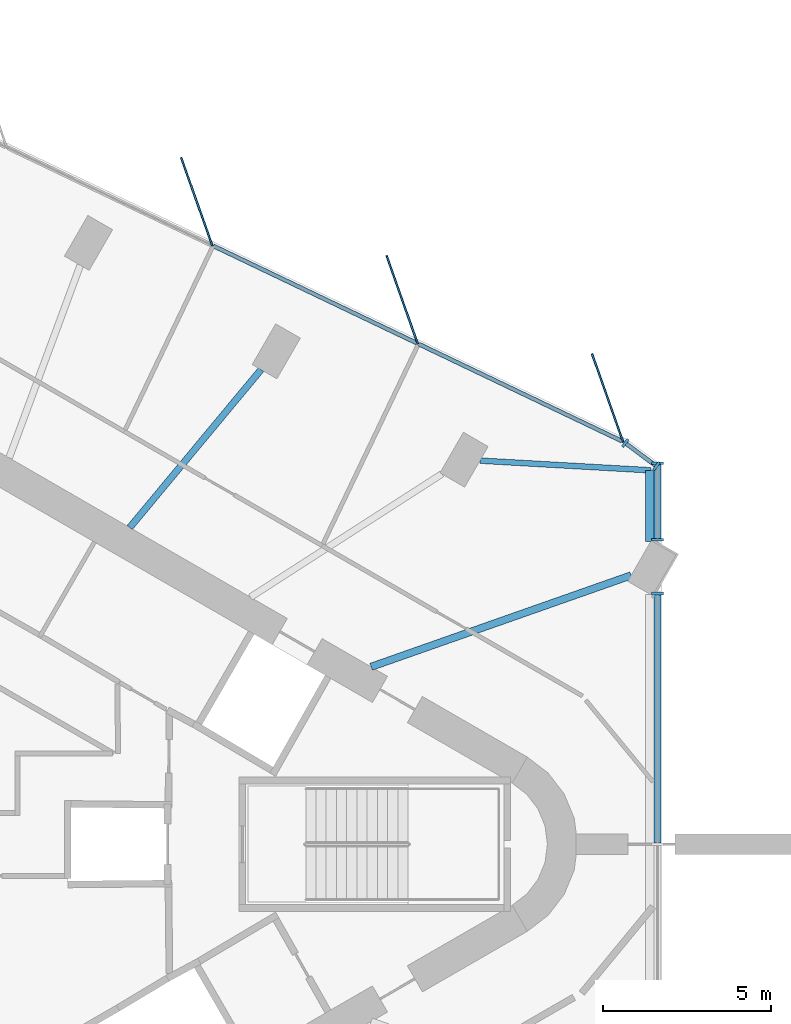
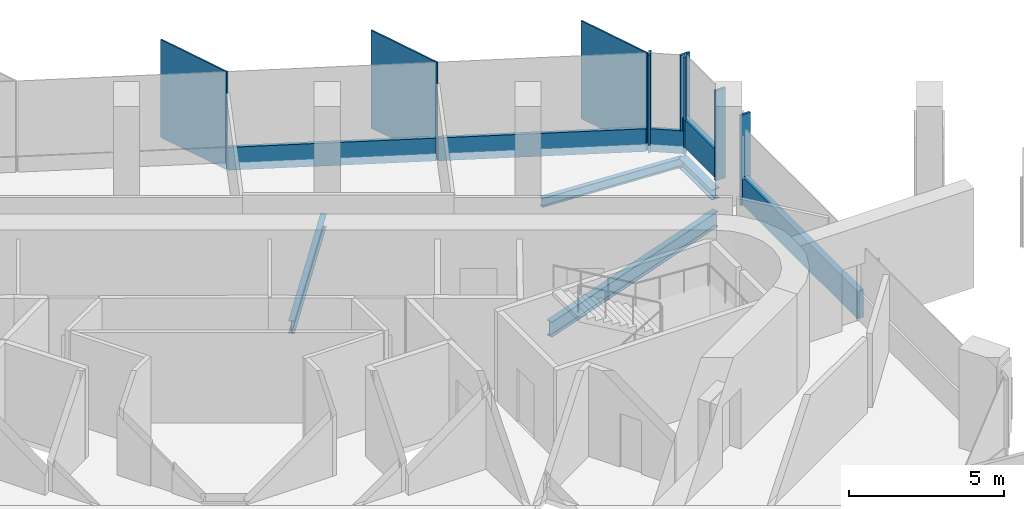
# One storey, part 5 of 12: 13 members, 4 beams, 4 elements without a shape of their own.
"""IFC4 building model written with IfcOpenShell, lengths in metres."""

from ifc_helpers import new_model, si_unit, direction, frame, origin, origin_2d, place, context, subcontext, project, spatial, rectangle, i_section, extrude, material, material_profile, profile_set, type_object, element, aggregate, save


model = new_model("IFC4")

# Units and contexts
model_context = context("Model", 3, precision=1e-05, world=origin(), true_north=direction((0.0, 1.0)))
body_context = subcontext(model_context, "Body", "Model", "MODEL_VIEW")
ifc_project = project(units=[si_unit("LENGTHUNIT", "METRE"), si_unit("AREAUNIT", "SQUARE_METRE"), si_unit("VOLUMEUNIT", "CUBIC_METRE"), si_unit("PLANEANGLEUNIT", "RADIAN"), si_unit("MASSUNIT", "GRAM", prefix="KILO")], contexts=[model_context])

# Site, building, storey
site_placement = place(None, origin())
site = spatial("IfcSite", under=ifc_project, at=site_placement, CompositionType="ELEMENT")
building_placement = place(site_placement, origin())
building = spatial("IfcBuilding", under=site, at=building_placement, Name="Tanit Gate Tower", CompositionType="ELEMENT")
storey_placement = place(building_placement, frame((0.0, 0.0, 388.39990234375)))
storey = spatial("IfcBuildingStorey", under=building, at=storey_placement, Name="L89", CompositionType="ELEMENT", Elevation=388.39990234375)

# Beam
ifc_material_1 = material(Name="Steel S355", Category="steel")
ifc_material_profile_1 = material_profile(ifc_material_1, i_section(OverallWidth=0.300048828125, OverallDepth=0.389892578125, WebThickness=0.010986328125, FlangeThickness=0.01904296875, FilletRadius=0.027099609375, at=origin_2d()), Name="HEA 400")
ifc_profile_set_1 = profile_set([ifc_material_profile_1], Name="Steel S355")
beam_type_1 = type_object("IfcBeamType", Name="EDGE BEAM HEA 400 S355", PredefinedType="BEAM", material=ifc_profile_set_1)
beam_1_placement = place(storey_placement, frame((23.3798828125, 11.14599609375, -0.494873046875), z_axis=(0.0, -1.0, 0.0), x_axis=(1.0, 0.0, 0.0)))
element("IfcBeam", 1, at=beam_1_placement, inside=storey, type_object=beam_type_1, Name="EDGE BEAM", PredefinedType="BEAM", context=body_context, shape_type="SweptSolid", body=[
    extrude(i_section(OverallWidth=0.300048828125, OverallDepth=0.389892578125, WebThickness=0.010986328125, FlangeThickness=0.01904296875, FilletRadius=0.027099609375, at=origin_2d()), origin(), (0.0, 0.0, 1.0), 2.1240234375),
])

# Curtain wall, members
ifc_material_2 = material(Name="Aluminium bronze anodised and glass", Category="aluminium")
curtain_wall_type_1 = type_object("IfcCurtainWallType", Name="Curtain wall typical high", PredefinedType="NOTDEFINED", material=ifc_material_2)
curtain_wall_1_placement = place(storey_placement, origin())
curtain_wall_1 = element("IfcCurtainWall", 2, at=curtain_wall_1_placement, inside=storey, type_object=curtain_wall_type_1, Name="Curtain wall L89 NE2", PredefinedType="NOTDEFINED")
ifc_material_3 = material(Name="Aluminium bronze anodised", Category="aluminium")
ifc_material_profile_2 = material_profile(ifc_material_3, rectangle(XDim=2.800048828125, YDim=0.055908203125, at=origin_2d()), Name="56x2800 bronze fin mullion")
ifc_profile_set_2 = profile_set([ifc_material_profile_2], Name="Aluminium bronze anodised")
member_type_1 = type_object("IfcMemberType", Name="FIN MULLION 56x2800 bronze", PredefinedType="MULLION", material=ifc_profile_set_2)
member_1_placement = place(storey_placement, frame((22.09423828125, 13.30224609375, -0.2998046875), z_axis=(0.0, 0.0, 1.0), x_axis=(0.333220063881, -0.942849080727, 0.0)))
member_1 = element("IfcMember", 3, at=member_1_placement, type_object=member_type_1, Name="Fin mullion L89 NE2.1", PredefinedType="MULLION", context=body_context, shape_type="SweptSolid", body=[
    extrude(rectangle(XDim=2.800048828125, YDim=0.055908203125, at=origin_2d()), origin(), (0.0, 0.0, 1.0), 3.849853515625),
])
member_2_placement = place(storey_placement, frame((15.969482421875, 16.228271484375, -0.2998046875), z_axis=(0.0, 0.0, 1.0), x_axis=(0.333220063881, -0.942849080727, 0.0)))
member_2 = element("IfcMember", 4, at=member_2_placement, type_object=member_type_1, Name="Fin mullion L89 NE2.2", PredefinedType="MULLION", context=body_context, shape_type="SweptSolid", body=[
    extrude(rectangle(XDim=2.800048828125, YDim=0.055908203125, at=origin_2d()), origin(), (0.0, 0.0, 1.0), 3.849853515625),
])
member_3_placement = place(storey_placement, frame((9.8447265625, 19.154296875, -0.2998046875), z_axis=(0.0, 0.0, 1.0), x_axis=(0.333220063881, -0.942849080727, 0.0)))
member_3 = element("IfcMember", 5, at=member_3_placement, type_object=member_type_1, Name="Fin mullion L89 NE2.3", PredefinedType="MULLION", context=body_context, shape_type="SweptSolid", body=[
    extrude(rectangle(XDim=2.800048828125, YDim=0.055908203125, at=origin_2d()), origin(), (0.0, 0.0, 1.0), 3.849853515625),
])

curtain_wall_2_placement = place(storey_placement, origin())
curtain_wall_2 = element("IfcCurtainWall", 6, at=curtain_wall_2_placement, inside=storey, type_object=curtain_wall_type_1, Name="Curtain wall L89 NE1c", PredefinedType="NOTDEFINED")
ifc_material_4 = material(Name="Aluminium bronze anodised", Category="aluminium")
ifc_material_profile_3 = material_profile(ifc_material_4, rectangle(XDim=0.280029296875, YDim=0.080078125, at=origin_2d()), Name="80x280 bronze mullion")
ifc_profile_set_3 = profile_set([ifc_material_profile_3], Name="Aluminium bronze anodised")
member_type_2 = type_object("IfcMemberType", Name="Mullion 80x280 typical high", PredefinedType="MULLION", material=ifc_profile_set_3)
member_4_placement = place(storey_placement, frame((23.54833984375, 11.27001953125, -0.2998046875), z_axis=(0.0, 0.0, 1.0), x_axis=(-0.59734052401, -0.801987717098, 0.0)))
member_4 = element("IfcMember", 7, at=member_4_placement, type_object=member_type_2, Name="Mullion L89 NE1c.1", PredefinedType="MULLION", context=body_context, shape_type="SweptSolid", body=[
    extrude(rectangle(XDim=0.280029296875, YDim=0.080078125, at=origin_2d()), origin(), (0.0, 0.0, 1.0), 3.849853515625),
])
member_5_placement = place(storey_placement, frame((22.622314453125, 11.959716796875, -0.2998046875), z_axis=(0.0, 0.0, 1.0), x_axis=(-0.59734052401, -0.801987717098, 0.0)))
member_5 = element("IfcMember", 8, at=member_5_placement, type_object=member_type_2, Name="Mullion L89 NE1c.2", PredefinedType="MULLION", context=body_context, shape_type="SweptSolid", body=[
    extrude(rectangle(XDim=0.280029296875, YDim=0.080078125, at=origin_2d()), origin(), (0.0, 0.0, 1.0), 3.849853515625),
])

ifc_material_5 = material(Name="Aluminium bronze anodised and glass", Category="aluminium")
curtain_wall_type_2 = type_object("IfcCurtainWallType", Name="Curtain wall portal glazing", PredefinedType="NOTDEFINED", material=ifc_material_5)
curtain_wall_3_placement = place(storey_placement, origin())
curtain_wall_3 = element("IfcCurtainWall", 9, at=curtain_wall_3_placement, inside=storey, type_object=curtain_wall_type_2, Name="Curtain wall L89 NOTCH1", PredefinedType="NOTDEFINED")
ifc_material_6 = material(Name="Aluminium bronze anodised", Category="aluminium")
ifc_material_profile_4 = material_profile(ifc_material_6, rectangle(XDim=0.360107421875, YDim=0.080078125, at=origin_2d()), Name="80x360 bronze mullion")
ifc_profile_set_4 = profile_set([ifc_material_profile_4], Name="Aluminium bronze anodised")
member_type_3 = type_object("IfcMemberType", Name="Mullion 80x360 portal glazing", PredefinedType="MULLION", material=ifc_profile_set_4)
member_6_placement = place(storey_placement, frame((23.580078125, 11.35546875, 0.0), z_axis=(0.0, 0.0, 1.0), x_axis=(1.0, 0.0, 0.0)))
member_6 = element("IfcMember", 10, at=member_6_placement, type_object=member_type_3, Name="Mullion L89 NOTCH1.1", PredefinedType="MULLION", context=body_context, shape_type="SweptSolid", body=[
    extrude(rectangle(XDim=0.360107421875, YDim=0.080078125, at=origin_2d()), origin(), (0.0, 0.0, 1.0), 3.550048828125),
])
member_7_placement = place(storey_placement, frame((23.580078125, 9.07421875, 0.0), z_axis=(0.0, 0.0, 1.0), x_axis=(1.0, 0.0, 0.0)))
member_7 = element("IfcMember", 11, at=member_7_placement, type_object=member_type_3, Name="Mullion L89 NOTCH1.2", PredefinedType="MULLION", context=body_context, shape_type="SweptSolid", body=[
    extrude(rectangle(XDim=0.360107421875, YDim=0.080078125, at=origin_2d()), origin(), (0.0, 0.0, 1.0), 3.550048828125),
])

# Curtain wall, member
curtain_wall_4_placement = place(storey_placement, origin())
curtain_wall_4 = element("IfcCurtainWall", 12, at=curtain_wall_4_placement, inside=storey, type_object=curtain_wall_type_2, Name="Curtain wall L89 NOTCH2", PredefinedType="NOTDEFINED")
member_8_placement = place(storey_placement, frame((23.580078125, 7.472412109375, 0.0), z_axis=(0.0, 0.0, 1.0), x_axis=(1.0, 0.0, 0.0)))
member_8 = element("IfcMember", 13, at=member_8_placement, type_object=member_type_3, Name="Mullion L89 NOTCH2.1", PredefinedType="MULLION", context=body_context, shape_type="SweptSolid", body=[
    extrude(rectangle(XDim=0.360107421875, YDim=0.080078125, at=origin_2d()), origin(), (0.0, 0.0, 1.0), 3.550048828125),
])

# Beams
ifc_material_7 = material(Name="Steel S355", Category="steel")
ifc_material_profile_5 = material_profile(ifc_material_7, i_section(OverallWidth=0.199951171875, OverallDepth=0.5, WebThickness=0.01025390625, FlangeThickness=0.01611328125, FilletRadius=0.02099609375, at=origin_2d()), Name="IPE 500")
ifc_profile_set_5 = profile_set([ifc_material_profile_5], Name="Steel S355")
beam_type_2 = type_object("IfcBeamType", Name="RADIAL GIRDER IPE 500 S355", PredefinedType="BEAM", material=ifc_profile_set_5)
beam_2_placement = place(storey_placement, frame((11.761962890625, 14.1484375, -0.5498046875), z_axis=(-0.639281465972, -0.76897282609, 0.0), x_axis=(0.76897282609, -0.639281465972, 0.0)))
element("IfcBeam", 14, at=beam_2_placement, inside=storey, type_object=beam_type_2, Name="RADIAL GIRDER", PredefinedType="BEAM", context=body_context, shape_type="SweptSolid", body=[
    extrude(i_section(OverallWidth=0.199951171875, OverallDepth=0.5, WebThickness=0.01025390625, FlangeThickness=0.01611328125, FilletRadius=0.02099609375, at=origin_2d()), origin(), (0.0, 0.0, 1.0), 6.119873046875),
])
ifc_material_8 = material(Name="Steel S355", Category="steel")
ifc_material_profile_6 = material_profile(ifc_material_8, i_section(OverallWidth=0.219970703125, OverallDepth=0.60009765625, WebThickness=0.011962890625, FlangeThickness=0.01904296875, FilletRadius=0.02392578125, at=origin_2d()), Name="IPE 600")
ifc_profile_set_6 = profile_set([ifc_material_profile_6], Name="Steel S355")
beam_type_3 = type_object("IfcBeamType", Name="RADIAL GIRDER IPE 600 S355", PredefinedType="BEAM", material=ifc_profile_set_6)
beam_3_placement = place(storey_placement, frame((22.7958984375, 8.014404296875, -0.599853515625), z_axis=(-0.943393322565, -0.331676105471, 0.0), x_axis=(0.331676105471, -0.943393322565, 0.0)))
element("IfcBeam", 15, at=beam_3_placement, inside=storey, type_object=beam_type_3, Name="RADIAL GIRDER", PredefinedType="BEAM", context=body_context, shape_type="SweptSolid", body=[
    extrude(i_section(OverallWidth=0.219970703125, OverallDepth=0.60009765625, WebThickness=0.011962890625, FlangeThickness=0.01904296875, FilletRadius=0.02392578125, at=origin_2d()), origin(), (0.0, 0.0, 1.0), 8.217529296875),
])
ifc_material_9 = material(Name="Steel S355", Category="steel")
ifc_material_profile_7 = material_profile(ifc_material_9, i_section(OverallWidth=0.169921875, OverallDepth=0.360107421875, WebThickness=0.008056640625, FlangeThickness=0.0126953125, FilletRadius=0.01806640625, at=origin_2d()), Name="IPE 360")
ifc_profile_set_7 = profile_set([ifc_material_profile_7], Name="Steel S355")
beam_type_4 = type_object("IfcBeamType", Name="RING BEAM IPE 360 S355", PredefinedType="BEAM", material=ifc_profile_set_7)
beam_4_placement = place(storey_placement, frame((23.3798828125, 11.14599609375, -0.47998046875), z_axis=(-0.998383854202, 0.056830270701, 0.0), x_axis=(-0.056830270701, -0.998383854202, 0.0)))
element("IfcBeam", 16, at=beam_4_placement, inside=storey, type_object=beam_type_4, Name="RING BEAM", PredefinedType="BEAM", context=body_context, shape_type="SweptSolid", body=[
    extrude(i_section(OverallWidth=0.169921875, OverallDepth=0.360107421875, WebThickness=0.008056640625, FlangeThickness=0.0126953125, FilletRadius=0.01806640625, at=origin_2d()), origin(), (0.0, 0.0, 1.0), 5.099365234375),
])

# Member
ifc_material_10 = material(Name="Aluminium bronze anodised", Category="aluminium")
ifc_material_profile_8 = material_profile(ifc_material_10, rectangle(XDim=0.1201171875, YDim=0.89990234375, at=origin_2d()), Name="120x900 bronze transom")
ifc_profile_set_8 = profile_set([ifc_material_profile_8], Name="Aluminium bronze anodised")
member_type_4 = type_object("IfcMemberType", Name="Transom 120x900 typical high", PredefinedType="USERDEFINED", material=ifc_profile_set_8)
member_9_placement = place(storey_placement, frame((23.516357421875, 11.2939453125, 0.150146484375), z_axis=(-0.802094042623, 0.59719774513, 0.0), x_axis=(-0.59719774513, -0.802094042623, 0.0)))
member_9 = element("IfcMember", 17, at=member_9_placement, type_object=member_type_4, Name="Transom L89 NE1c.1", ObjectType="TRANSOM", PredefinedType="USERDEFINED", context=body_context, shape_type="SweptSolid", body=[
    extrude(rectangle(XDim=0.1201171875, YDim=0.89990234375, at=origin_2d()), origin(), (0.0, 0.0, 1.0), 1.07470703125),
])

aggregate(curtain_wall_2, [member_4, member_5, member_9])

member_10_placement = place(storey_placement, frame((22.51806640625, 12.01806640625, 0.150146484375), z_axis=(-0.902312153024, 0.431083261685, 0.0), x_axis=(-0.431083261685, -0.902312153024, 0.0)))
member_10 = element("IfcMember", 18, at=member_10_placement, type_object=member_type_4, Name="Transom L89 NE2.1", ObjectType="TRANSOM", PredefinedType="USERDEFINED", context=body_context, shape_type="SweptSolid", body=[
    extrude(rectangle(XDim=0.1201171875, YDim=0.89990234375, at=origin_2d()), origin(), (0.0, 0.0, 1.0), 6.707763671875),
])

member_11_placement = place(storey_placement, frame((16.393310546875, 14.944091796875, 0.150146484375), z_axis=(-0.902312153024, 0.431083261685, 0.0), x_axis=(-0.431083261685, -0.902312153024, 0.0)))
member_11 = element("IfcMember", 19, at=member_11_placement, type_object=member_type_4, Name="Transom L89 NE2.2", ObjectType="TRANSOM", PredefinedType="USERDEFINED", context=body_context, shape_type="SweptSolid", body=[
    extrude(rectangle(XDim=0.1201171875, YDim=0.89990234375, at=origin_2d()), origin(), (0.0, 0.0, 1.0), 6.707763671875),
])

aggregate(curtain_wall_1, [member_1, member_2, member_3, member_10, member_11])

ifc_material_11 = material(Name="Aluminium bronze anodised", Category="aluminium")
ifc_material_profile_9 = material_profile(ifc_material_11, rectangle(XDim=0.219970703125, YDim=1.10009765625, at=origin_2d()), Name="220x1100 bronze transom")
ifc_profile_set_9 = profile_set([ifc_material_profile_9], Name="Aluminium bronze anodised")
member_type_5 = type_object("IfcMemberType", Name="Transom 220x1100 portal glazing", PredefinedType="USERDEFINED", material=ifc_profile_set_9)
member_12_placement = place(storey_placement, frame((23.580078125, 11.3154296875, 0.550048828125), z_axis=(0.0, -1.0, 0.0), x_axis=(1.0, 0.0, 0.0)))
member_12 = element("IfcMember", 20, at=member_12_placement, type_object=member_type_5, Name="Transom L89 NOTCH1.1", ObjectType="TRANSOM", PredefinedType="USERDEFINED", context=body_context, shape_type="SweptSolid", body=[
    extrude(rectangle(XDim=0.219970703125, YDim=1.10009765625, at=origin_2d()), origin(), (0.0, 0.0, 1.0), 2.201171875),
])

aggregate(curtain_wall_3, [member_6, member_7, member_12])

member_13_placement = place(storey_placement, frame((23.580078125, 7.432373046875, 0.550048828125), z_axis=(0.0, -1.0, 0.0), x_axis=(1.0, 0.0, 0.0)))
member_13 = element("IfcMember", 21, at=member_13_placement, type_object=member_type_5, Name="Transom L89 NOTCH2.1", ObjectType="TRANSOM", PredefinedType="USERDEFINED", context=body_context, shape_type="SweptSolid", body=[
    extrude(rectangle(XDim=0.219970703125, YDim=1.10009765625, at=origin_2d()), origin(), (0.0, 0.0, 1.0), 7.392333984375),
])

aggregate(curtain_wall_4, [member_8, member_13])

save(model, "model.ifc")
